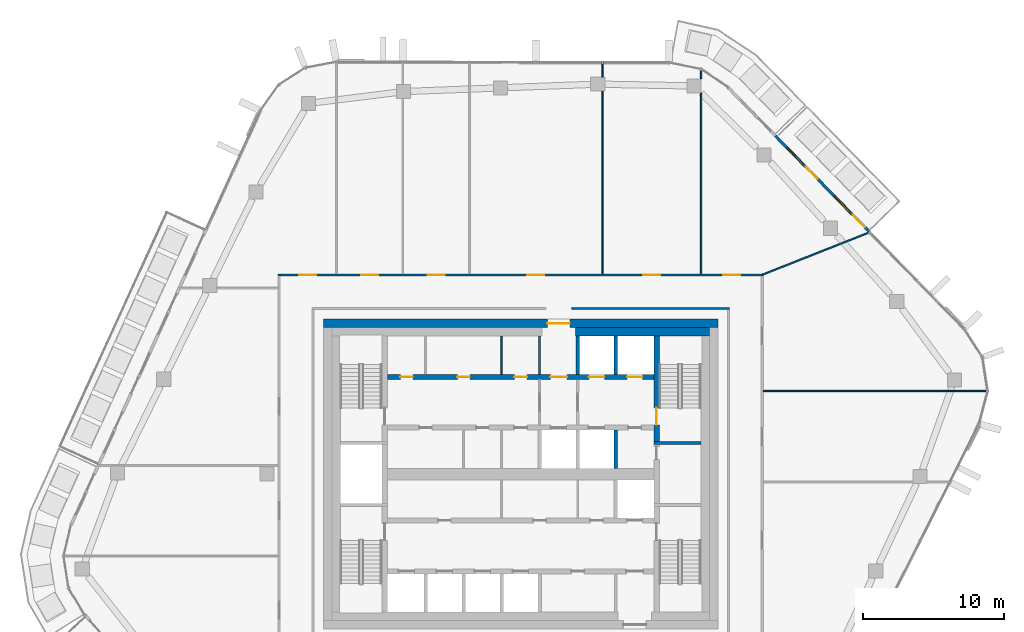
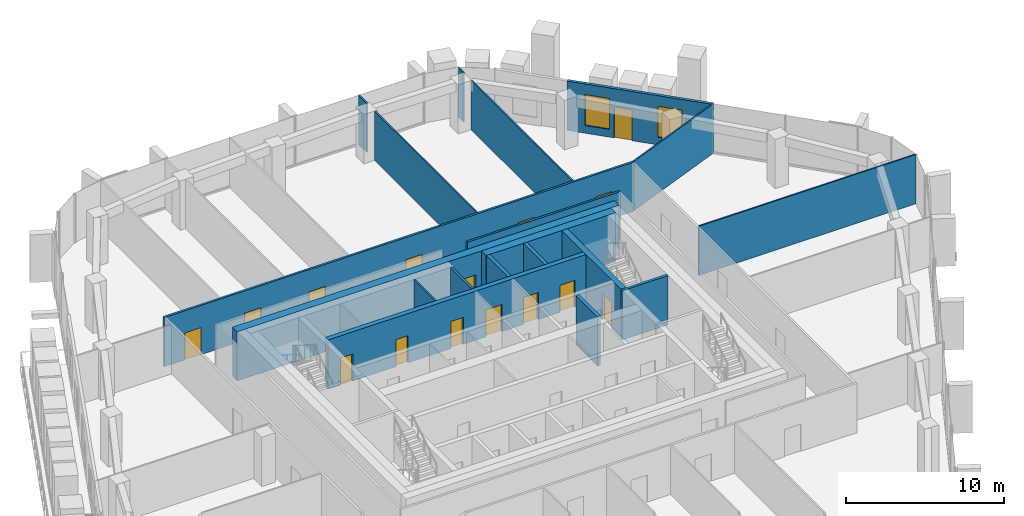
# One storey, part 16 of 23: 19 walls, 16 doors, 2 windows, 18 openings.
"""IFC4 building model written with IfcOpenShell, lengths in metres."""

import ifcopenshell
import ifcopenshell.guid

model = None  # the IFC model being written
_history = None  # IfcOwnerHistory: only IFC2X3 demands one
_inside = {}  # id of a spatial element -> (the spatial element, [elements in it])
_under = {}  # id of a project, library or spatial element -> (it, [spatial elements below it])
_declared = {}  # id of a project -> (the project, [libraries it declares])
_typed = {}  # id of a type object -> (the type object, [elements of that type])
_made_of = {}  # id of a material, layer set ... -> (it, [elements and type objects made of it])


def new_model(schema):
    """Start an empty IFC model of exactly this schema.

    Asked for "IFC4X3", IfcOpenShell would pick the latest addendum, in which some entities
    have other attributes; the version numbers below select the first issue.
    IFC2X3 requires an IfcOwnerHistory on every rooted entity: one is made here for all.
    """
    global model, _history
    if schema == "IFC4X3":
        model = ifcopenshell.file(schema_version=(4, 3, 0, 0))
    else:
        model = ifcopenshell.file(schema=schema)
    _inside.clear()
    _under.clear()
    _declared.clear()
    _typed.clear()
    _made_of.clear()
    _history = None
    if model.schema == "IFC2X3":
        org = make("IfcOrganization", Name="unknown")
        user = make(
            "IfcPersonAndOrganization",
            ThePerson=make("IfcPerson", FamilyName="unknown"),
            TheOrganization=org,
        )
        app = make(
            "IfcApplication",
            ApplicationDeveloper=org,
            Version="unknown",
            ApplicationFullName="unknown",
            ApplicationIdentifier="unknown",
        )
        _history = make(
            "IfcOwnerHistory",
            OwningUser=user,
            OwningApplication=app,
            ChangeAction="ADDED",
            CreationDate=0,
        )
    return model


def make(cls, **values):
    """One entity of the class cls with the attributes given. An attribute that is None is left unset."""
    return model.create_entity(
        cls, **{name: value for name, value in values.items() if value is not None}
    )


def rooted(cls, **values):
    """An entity with a GlobalId (a new one), such as an element, a storey or a relation."""
    return make(cls, GlobalId=ifcopenshell.guid.new(), OwnerHistory=_history, **values)


def si_unit(unit_type, name, prefix=None):
    """IfcSIUnit, for example si_unit("LENGTHUNIT", "METRE", prefix="MILLI")."""
    return make("IfcSIUnit", UnitType=unit_type, Prefix=prefix, Name=name)


def assignment(units):
    """IfcUnitAssignment: the units of a project."""
    return None if units is None else make("IfcUnitAssignment", Units=units)


def point(xyz):
    """IfcCartesianPoint."""
    return None if xyz is None else make("IfcCartesianPoint", Coordinates=xyz)


def direction(xyz):
    """IfcDirection."""
    return None if xyz is None else make("IfcDirection", DirectionRatios=xyz)


def frame(location, z_axis=None, x_axis=None):
    """IfcAxis2Placement3D, a coordinate frame: its origin and axes. An axis left out is left unset."""
    return make(
        "IfcAxis2Placement3D",
        Location=point(location),
        Axis=direction(z_axis),
        RefDirection=direction(x_axis),
    )


def frame_2d(location, x_axis=None):
    """IfcAxis2Placement2D, a coordinate frame in the plane: its origin and x axis."""
    return make(
        "IfcAxis2Placement2D", Location=point(location), RefDirection=direction(x_axis)
    )


def origin():
    """The frame at (0, 0, 0) with its axes left unset."""
    return frame((0.0, 0.0, 0.0))


def place(relative_to, where):
    """IfcLocalPlacement: puts the frame where relative to a parent placement (None: the world)."""
    return make(
        "IfcLocalPlacement", PlacementRelTo=relative_to, RelativePlacement=where
    )


def context(
    kind, dimensions, precision=None, world=None, true_north=None, identifier=None
):
    """IfcGeometricRepresentationContext, for example the 3D "Model" context."""
    return make(
        "IfcGeometricRepresentationContext",
        ContextIdentifier=identifier,
        ContextType=kind,
        CoordinateSpaceDimension=dimensions,
        Precision=precision,
        WorldCoordinateSystem=world,
        TrueNorth=true_north,
    )


def subcontext(parent, identifier, kind, view, scale=None):
    """IfcGeometricRepresentationSubContext, for example "Body" below "Model"."""
    return make(
        "IfcGeometricRepresentationSubContext",
        ContextIdentifier=identifier,
        ContextType=kind,
        ParentContext=parent,
        TargetScale=scale,
        TargetView=view,
    )


def project(units=None, contexts=None):
    """IfcProject with its units and contexts."""
    return rooted(
        "IfcProject",
        Name="project",
        RepresentationContexts=contexts,
        UnitsInContext=assignment(units),
    )


def spatial(cls, under=None, at=None, **own):
    """A site, building, storey or space (cls), placed at a placement, below another one or the project."""
    s = rooted(cls, ObjectPlacement=at, **own)
    if under is not None:
        _under.setdefault(under.id(), (under, []))[1].append(s)
    return s


def profile(cls, at=None, kind="AREA", **sizes):
    """A parametric profile (cls). Its sizes go by their IFC names, for example OverallWidth=200.0."""
    return make(cls, ProfileType=kind, Position=at, **sizes)


def rectangle(**sizes):
    """IfcRectangleProfileDef."""
    return profile("IfcRectangleProfileDef", **sizes)


def extrude(swept, where, along, depth):
    """IfcExtrudedAreaSolid: the profile swept, set in the frame where, extruded along a direction by depth."""
    return make(
        "IfcExtrudedAreaSolid",
        SweptArea=swept,
        Position=where,
        ExtrudedDirection=direction(along),
        Depth=depth,
    )


def shape(context_of_items, identifier, shape_type, items):
    """IfcShapeRepresentation: the items that make up one representation, for example the "Body"."""
    return make(
        "IfcShapeRepresentation",
        ContextOfItems=context_of_items,
        RepresentationIdentifier=identifier,
        RepresentationType=shape_type,
        Items=items,
    )


def material(Name=None, Category=None):
    """IfcMaterial."""
    return make("IfcMaterial", Name=Name, Category=Category)


def layer(
    of_material, thickness, ventilated=None, Name=None, Category=None, Priority=None
):
    """IfcMaterialLayer: one layer of a wall or slab, of a material (None: an air gap)."""
    return make(
        "IfcMaterialLayer",
        Material=of_material,
        LayerThickness=thickness,
        IsVentilated=ventilated,
        Name=Name,
        Category=Category,
        Priority=Priority,
    )


def layer_set(layers, Name=None):
    """IfcMaterialLayerSet."""
    return make("IfcMaterialLayerSet", MaterialLayers=layers, LayerSetName=Name)


def made_of(thing, what):
    """Note that an element or type object is made of a material, layer set ...; save() writes the relation."""
    if what is not None:
        _made_of.setdefault(what.id(), (what, []))[1].append(thing)
    return thing


def type_object(cls, material=None, **own):
    """A type object (cls), such as IfcWallType, which elements share."""
    return made_of(rooted(cls, **own), material)


def element(
    cls,
    number,
    at=None,
    inside=None,
    cuts=None,
    type_object=None,
    material=None,
    context=None,
    identifier="Body",
    shape_type=None,
    held_by="IfcProductDefinitionShape",
    body=None,
    shapes=None,
    **own,
):
    """One element of the class cls, such as IfcWall. Its Tag is "e" and its number.

    at: its placement. inside: the storey or other place that contains it. cuts: it is an
    opening in that element (IfcRelVoidsElement). A single representation is given by context,
    identifier, shape_type and body (its items); several are given by shapes. held_by: the class
    of the entity that holds the representations. save() writes the other relations.
    """
    e = rooted(cls, Tag="e%d" % number, ObjectPlacement=at, **own)
    if body is not None:
        shapes = [shape(context, identifier, shape_type, body)]
    if shapes is not None:
        e.Representation = make(held_by, Representations=shapes)
    if inside is not None:
        _inside.setdefault(inside.id(), (inside, []))[1].append(e)
    if cuts is not None:
        rooted(
            "IfcRelVoidsElement", RelatingBuildingElement=cuts, RelatedOpeningElement=e
        )
    if type_object is not None:
        _typed.setdefault(type_object.id(), (type_object, []))[1].append(e)
    return made_of(e, material)


def fill(opening, filler):
    """IfcRelFillsElement: the door or window that sits in an opening."""
    return rooted(
        "IfcRelFillsElement",
        RelatingOpeningElement=opening,
        RelatedBuildingElement=filler,
    )


def aggregate(whole, parts):
    """IfcRelAggregates: a whole, such as a stair, and the parts it consists of."""
    return rooted("IfcRelAggregates", RelatingObject=whole, RelatedObjects=parts)


def save(model, path):
    """Write the relations noted so far, then the file.

    IfcRelAggregates (storeys below a building ...), IfcRelContainedInSpatialStructure (elements
    in a storey), IfcRelDefinesByType, IfcRelAssociatesMaterial and IfcRelDeclares: one each for
    every whole, place, type object, material and project.
    """
    for whole, parts in _under.values():
        aggregate(whole, parts)
    for where, things in _inside.values():
        rooted(
            "IfcRelContainedInSpatialStructure",
            RelatedElements=things,
            RelatingStructure=where,
        )
    for kind, things in _typed.values():
        rooted("IfcRelDefinesByType", RelatedObjects=things, RelatingType=kind)
    for what, things in _made_of.values():
        rooted("IfcRelAssociatesMaterial", RelatedObjects=things, RelatingMaterial=what)
    for by, libraries in _declared.values():
        rooted("IfcRelDeclares", RelatingContext=by, RelatedDefinitions=libraries)
    model.write(path)


model = new_model("IFC4")

# Units and contexts
model_context = context("Model", 3, precision=1e-05, world=origin(), true_north=direction((0.0, 1.0)))
body_context = subcontext(model_context, "Body", "Model", "MODEL_VIEW")
ifc_project = project(units=[si_unit("LENGTHUNIT", "METRE"), si_unit("AREAUNIT", "SQUARE_METRE"), si_unit("VOLUMEUNIT", "CUBIC_METRE"), si_unit("PLANEANGLEUNIT", "RADIAN"), si_unit("MASSUNIT", "GRAM", prefix="KILO")], contexts=[model_context])

# Site, building, storey
site_placement = place(None, origin())
site = spatial("IfcSite", under=ifc_project, at=site_placement, CompositionType="ELEMENT")
building_placement = place(site_placement, origin())
building = spatial("IfcBuilding", under=site, at=building_placement, Name="Dongbaek Canopy Tower", CompositionType="ELEMENT")
storey_placement = place(building_placement, frame((0.0, 0.0, 315.199951171875)))
storey = spatial("IfcBuildingStorey", under=building, at=storey_placement, Name="L67", CompositionType="ELEMENT", Elevation=315.199951171875)

# Wall, openings, doors
ifc_material_1 = material(Name="Concrete C60/75", Category="concrete")
ifc_layer_1 = layer(ifc_material_1, 0.35009765625)
ifc_layer_set_1 = layer_set([ifc_layer_1], Name="Core lobby wall 350 Concrete C60/75")
wall_type_1 = type_object("IfcWallType", Name="Core lobby wall 350 Concrete C60/75", PredefinedType="SHEAR", material=ifc_layer_set_1)
wall_1_placement = place(storey_placement, frame((-9.449951171875, 6.89990234375, 0.0), z_axis=(0.0, 0.0, 1.0), x_axis=(1.0, 0.0, 0.0)))
wall_1 = element("IfcWall", 1, at=wall_1_placement, inside=storey, type_object=wall_type_1, Name="Core wall", PredefinedType="SHEAR", context=body_context, shape_type="SweptSolid", body=[
    extrude(rectangle(XDim=18.89990234375, YDim=0.35009765625, at=frame_2d((9.449951171875, 0.0))), origin(), (0.0, 0.0, 1.0), 3.820068359375),
])
opening_1_placement = place(wall_1_placement, frame((11.550048828125, 0.0, 0.0)))
opening_1 = element("IfcOpeningElement", 2, at=opening_1_placement, cuts=wall_1, Name="Opening L67-D021", PredefinedType="OPENING", context=body_context, shape_type="SweptSolid", body=[
    extrude(rectangle(XDim=1.199951171875, YDim=2.10009765625, at=frame_2d((0.60009765625, 1.050048828125))), frame((0.0, 0.18505859375, 0.0), z_axis=(0.0, -1.0, 0.0), x_axis=(1.0, 0.0, 0.0)), (0.0, 0.0, 1.0), 0.3701171875),
])
opening_2_placement = place(wall_1_placement, frame((14.300048828125, 0.0, 0.0)))
opening_2 = element("IfcOpeningElement", 3, at=opening_2_placement, cuts=wall_1, Name="Opening L67-D022", PredefinedType="OPENING", context=body_context, shape_type="SweptSolid", body=[
    extrude(rectangle(XDim=1.10009765625, YDim=2.10009765625, at=frame_2d((0.550048828125, 1.050048828125))), frame((0.0, 0.18505859375, 0.0), z_axis=(0.0, -1.0, 0.0), x_axis=(1.0, 0.0, 0.0)), (0.0, 0.0, 1.0), 0.3701171875),
])
opening_3_placement = place(wall_1_placement, frame((17.0, 0.0, 0.0)))
opening_3 = element("IfcOpeningElement", 4, at=opening_3_placement, cuts=wall_1, Name="Opening L67-D023", PredefinedType="OPENING", context=body_context, shape_type="SweptSolid", body=[
    extrude(rectangle(XDim=1.10009765625, YDim=2.10009765625, at=frame_2d((0.550048828125, 1.050048828125))), frame((0.0, 0.18505859375, 0.0), z_axis=(0.0, -1.0, 0.0), x_axis=(1.0, 0.0, 0.0)), (0.0, 0.0, 1.0), 0.3701171875),
])
opening_4_placement = place(wall_1_placement, frame((0.89990234375, 0.0, 0.0)))
opening_4 = element("IfcOpeningElement", 5, at=opening_4_placement, cuts=wall_1, Name="Opening L67-D034", PredefinedType="OPENING", context=body_context, shape_type="SweptSolid", body=[
    extrude(rectangle(XDim=0.89990234375, YDim=2.10009765625, at=frame_2d((0.449951171875, 1.050048828125))), frame((0.0, 0.18505859375, 0.0), z_axis=(0.0, -1.0, 0.0), x_axis=(1.0, 0.0, 0.0)), (0.0, 0.0, 1.0), 0.3701171875),
])
opening_5_placement = place(wall_1_placement, frame((4.949951171875, 0.0, 0.0)))
opening_5 = element("IfcOpeningElement", 6, at=opening_5_placement, cuts=wall_1, Name="Opening L67-D035", PredefinedType="OPENING", context=body_context, shape_type="SweptSolid", body=[
    extrude(rectangle(XDim=0.89990234375, YDim=2.10009765625, at=frame_2d((0.449951171875, 1.050048828125))), frame((0.0, 0.18505859375, 0.0), z_axis=(0.0, -1.0, 0.0), x_axis=(1.0, 0.0, 0.0)), (0.0, 0.0, 1.0), 0.3701171875),
])
opening_6_placement = place(wall_1_placement, frame((9.0, 0.0, 0.0)))
opening_6 = element("IfcOpeningElement", 7, at=opening_6_placement, cuts=wall_1, Name="Opening L67-D036", PredefinedType="OPENING", context=body_context, shape_type="SweptSolid", body=[
    extrude(rectangle(XDim=0.89990234375, YDim=2.10009765625, at=frame_2d((0.449951171875, 1.050048828125))), frame((0.0, 0.18505859375, 0.0), z_axis=(0.0, -1.0, 0.0), x_axis=(1.0, 0.0, 0.0)), (0.0, 0.0, 1.0), 0.3701171875),
])
ifc_material_2 = material(Name="Steel", Category="steel")
door_type_1 = type_object("IfcDoorType", Name="Core room door 900 x 2100", OperationType="SINGLE_SWING_LEFT", PredefinedType="DOOR", material=ifc_material_2)
door_1_placement = place(opening_4_placement, origin())
door_1 = element("IfcDoor", 8, at=door_1_placement, inside=storey, type_object=door_type_1, Name="Door L67-D034", OperationType="SINGLE_SWING_RIGHT", OverallHeight=2.10009765625, OverallWidth=0.89990234375, PredefinedType="DOOR", context=body_context, shape_type="SweptSolid", body=[
    extrude(rectangle(XDim=0.89990234375, YDim=2.10009765625, at=frame_2d((0.449951171875, 1.050048828125))), frame((0.0, 0.02490234375, 0.0), z_axis=(0.0, -1.0, 0.0), x_axis=(1.0, 0.0, 0.0)), (0.0, 0.0, 1.0), 0.050048828125),
])
fill(opening_4, door_1)
door_2_placement = place(opening_5_placement, origin())
door_2 = element("IfcDoor", 9, at=door_2_placement, inside=storey, type_object=door_type_1, Name="Door L67-D035", OperationType="SINGLE_SWING_LEFT", OverallHeight=2.10009765625, OverallWidth=0.89990234375, PredefinedType="DOOR", context=body_context, shape_type="SweptSolid", body=[
    extrude(rectangle(XDim=0.89990234375, YDim=2.10009765625, at=frame_2d((0.449951171875, 1.050048828125))), frame((0.0, 0.02490234375, 0.0), z_axis=(0.0, -1.0, 0.0), x_axis=(1.0, 0.0, 0.0)), (0.0, 0.0, 1.0), 0.050048828125),
])
fill(opening_5, door_2)
door_3_placement = place(opening_6_placement, origin())
door_3 = element("IfcDoor", 10, at=door_3_placement, inside=storey, type_object=door_type_1, Name="Door L67-D036", OperationType="SINGLE_SWING_RIGHT", OverallHeight=2.10009765625, OverallWidth=0.89990234375, PredefinedType="DOOR", context=body_context, shape_type="SweptSolid", body=[
    extrude(rectangle(XDim=0.89990234375, YDim=2.10009765625, at=frame_2d((0.449951171875, 1.050048828125))), frame((0.0, 0.02490234375, 0.0), z_axis=(0.0, -1.0, 0.0), x_axis=(1.0, 0.0, 0.0)), (0.0, 0.0, 1.0), 0.050048828125),
])
fill(opening_6, door_3)
ifc_material_3 = material(Name="Steel", Category="steel")
door_type_2 = type_object("IfcDoorType", Name="Fire lobby door 1200 x 2100", OperationType="SINGLE_SWING_LEFT", PredefinedType="DOOR", material=ifc_material_3)
door_4_placement = place(opening_1_placement, origin())
door_4 = element("IfcDoor", 11, at=door_4_placement, inside=storey, type_object=door_type_2, Name="Door L67-D021", OperationType="SINGLE_SWING_LEFT", OverallHeight=2.10009765625, OverallWidth=1.199951171875, PredefinedType="DOOR", context=body_context, shape_type="SweptSolid", body=[
    extrude(rectangle(XDim=1.199951171875, YDim=2.10009765625, at=frame_2d((0.60009765625, 1.050048828125))), frame((0.0, 0.02490234375, 0.0), z_axis=(0.0, -1.0, 0.0), x_axis=(1.0, 0.0, 0.0)), (0.0, 0.0, 1.0), 0.050048828125),
])
fill(opening_1, door_4)
ifc_material_4 = material(Name="Stainless steel", Category="steel")
door_type_3 = type_object("IfcDoorType", Name="Lift landing door 1100 x 2100", OperationType="DOUBLE_DOOR_SLIDING", PredefinedType="DOOR", material=ifc_material_4)
door_5_placement = place(opening_2_placement, origin())
door_5 = element("IfcDoor", 12, at=door_5_placement, inside=storey, type_object=door_type_3, Name="Landing door FF1", OperationType="DOUBLE_DOOR_SLIDING", OverallHeight=2.10009765625, OverallWidth=1.10009765625, PredefinedType="DOOR", context=body_context, shape_type="SweptSolid", body=[
    extrude(rectangle(XDim=1.10009765625, YDim=2.10009765625, at=frame_2d((0.550048828125, 1.050048828125))), frame((0.0, 0.02490234375, 0.0), z_axis=(0.0, -1.0, 0.0), x_axis=(1.0, 0.0, 0.0)), (0.0, 0.0, 1.0), 0.050048828125),
])
fill(opening_2, door_5)
door_6_placement = place(opening_3_placement, origin())
door_6 = element("IfcDoor", 13, at=door_6_placement, inside=storey, type_object=door_type_3, Name="Landing door FF2", OperationType="DOUBLE_DOOR_SLIDING", OverallHeight=2.10009765625, OverallWidth=1.10009765625, PredefinedType="DOOR", context=body_context, shape_type="SweptSolid", body=[
    extrude(rectangle(XDim=1.10009765625, YDim=2.10009765625, at=frame_2d((0.550048828125, 1.050048828125))), frame((0.0, 0.02490234375, 0.0), z_axis=(0.0, -1.0, 0.0), x_axis=(1.0, 0.0, 0.0)), (0.0, 0.0, 1.0), 0.050048828125),
])
fill(opening_3, door_6)

# Wall, opening, door
ifc_material_5 = material(Name="Concrete C80/95", Category="concrete")
ifc_layer_2 = layer(ifc_material_5, 0.60009765625)
ifc_layer_set_2 = layer_set([ifc_layer_2], Name="Core outer wall 600 Concrete C80/95")
wall_type_2 = type_object("IfcWallType", Name="Core outer wall 600 Concrete C80/95", PredefinedType="SHEAR", material=ifc_layer_set_2)
wall_2_placement = place(storey_placement, frame((-14.0, 10.699951171875, 0.0), z_axis=(0.0, 0.0, 1.0), x_axis=(1.0, 0.0, 0.0)))
wall_2 = element("IfcWall", 14, at=wall_2_placement, inside=storey, type_object=wall_type_2, Name="Core wall", PredefinedType="SHEAR", context=body_context, shape_type="SweptSolid", body=[
    extrude(rectangle(XDim=28.0, YDim=0.60009765625, at=frame_2d((14.0, 0.0))), origin(), (0.0, 0.0, 1.0), 3.820068359375),
])
opening_7_placement = place(wall_2_placement, frame((15.89990234375, 0.0, 0.0)))
opening_7 = element("IfcOpeningElement", 15, at=opening_7_placement, cuts=wall_2, Name="Opening L67-D020", PredefinedType="OPENING", context=body_context, shape_type="SweptSolid", body=[
    extrude(rectangle(XDim=1.60009765625, YDim=2.10009765625, at=frame_2d((0.800048828125, 1.050048828125))), frame((0.0, 0.31005859375, 0.0), z_axis=(0.0, -1.0, 0.0), x_axis=(1.0, 0.0, 0.0)), (0.0, 0.0, 1.0), 0.6201171875),
])
ifc_material_6 = material(Name="Steel", Category="steel")
door_type_4 = type_object("IfcDoorType", Name="Core exit door 1600 x 2100", OperationType="DOUBLE_DOOR_SINGLE_SWING", PredefinedType="DOOR", material=ifc_material_6)
door_7_placement = place(opening_7_placement, origin())
door_7 = element("IfcDoor", 16, at=door_7_placement, inside=storey, type_object=door_type_4, Name="Core exit door", OperationType="DOUBLE_DOOR_SINGLE_SWING", OverallHeight=2.10009765625, OverallWidth=1.60009765625, PredefinedType="DOOR", context=body_context, shape_type="SweptSolid", body=[
    extrude(rectangle(XDim=1.60009765625, YDim=2.10009765625, at=frame_2d((0.800048828125, 1.050048828125))), frame((0.0, 0.02490234375, 0.0), z_axis=(0.0, -1.0, 0.0), x_axis=(1.0, 0.0, 0.0)), (0.0, 0.0, 1.0), 0.050048828125),
])
fill(opening_7, door_7)

# Walls
ifc_material_7 = material(Name="Concrete C60/75", Category="concrete")
ifc_layer_3 = layer(ifc_material_7, 0.60009765625)
ifc_layer_set_3 = layer_set([ifc_layer_3], Name="Core wall lining 600 Concrete C60/75")
wall_type_3 = type_object("IfcWallType", Name="Core wall lining 600 Concrete C60/75", PredefinedType="SHEAR", material=ifc_layer_set_3)
wall_3_placement = place(storey_placement, frame((3.89990234375, 10.10009765625, 0.0), z_axis=(0.0, 0.0, 1.0), x_axis=(1.0, 0.0, 0.0)))
element("IfcWall", 17, at=wall_3_placement, inside=storey, type_object=wall_type_3, Name="Core wall lining", PredefinedType="SHEAR", context=body_context, shape_type="SweptSolid", body=[
    extrude(rectangle(XDim=9.5, YDim=0.60009765625, at=frame_2d((4.75, 0.0))), origin(), (0.0, 0.0, 1.0), 3.820068359375),
])
ifc_material_8 = material(Name="Gypsum board partition, steel stud, 2 x 15 mm fire board", Category="steel")
ifc_layer_4 = layer(ifc_material_8, 0.14990234375)
ifc_layer_set_4 = layer_set([ifc_layer_4], Name="Fire-rated partition 150 gypsum board")
wall_type_4 = type_object("IfcWallType", Name="Fire-rated partition 150 gypsum board", PredefinedType="PARTITIONING", material=ifc_layer_set_4)
wall_4_placement = place(storey_placement, frame((3.60009765625, 11.75, 0.0), z_axis=(0.0, 0.0, 1.0), x_axis=(1.0, 0.0, 0.0)))
element("IfcWall", 18, at=wall_4_placement, inside=storey, type_object=wall_type_4, Name="Corridor partition", PredefinedType="PARTITIONING", context=body_context, shape_type="SweptSolid", body=[
    extrude(rectangle(XDim=11.224853515625, YDim=0.14990234375, at=frame_2d((5.6123046875, 0.0))), origin(), (0.0, 0.0, 1.0), 3.820068359375),
])

# Wall, openings, doors
wall_5_placement = place(storey_placement, frame((-17.22509765625, 14.14990234375, 0.0), z_axis=(0.0, 0.0, 1.0), x_axis=(1.0, 0.0, 0.0)))
wall_5 = element("IfcWall", 19, at=wall_5_placement, inside=storey, type_object=wall_type_4, Name="Corridor partition", PredefinedType="PARTITIONING", context=body_context, shape_type="SweptSolid", body=[
    extrude(rectangle(XDim=34.4501953125, YDim=0.14990234375, at=frame_2d((17.22509765625, 0.0))), origin(), (0.0, 0.0, 1.0), 3.820068359375),
])
opening_8_placement = place(wall_5_placement, frame((31.60693359375, 0.0, 0.0)))
opening_8 = element("IfcOpeningElement", 20, at=opening_8_placement, cuts=wall_5, Name="Opening L67-D012", PredefinedType="OPENING", context=body_context, shape_type="SweptSolid", body=[
    extrude(rectangle(XDim=1.199951171875, YDim=2.10009765625, at=frame_2d((0.60009765625, 1.050048828125))), frame((0.0, 0.0849609375, 0.0), z_axis=(0.0, -1.0, 0.0), x_axis=(1.0, 0.0, 0.0)), (0.0, 0.0, 1.0), 0.169921875),
])
opening_9_placement = place(wall_5_placement, frame((25.935791015625, 0.0, 0.0)))
opening_9 = element("IfcOpeningElement", 21, at=opening_9_placement, cuts=wall_5, Name="Opening L67-D013", PredefinedType="OPENING", context=body_context, shape_type="SweptSolid", body=[
    extrude(rectangle(XDim=1.199951171875, YDim=2.10009765625, at=frame_2d((0.60009765625, 1.050048828125))), frame((0.0, 0.0849609375, 0.0), z_axis=(0.0, -1.0, 0.0), x_axis=(1.0, 0.0, 0.0)), (0.0, 0.0, 1.0), 0.169921875),
])
opening_10_placement = place(wall_5_placement, frame((17.70654296875, 0.0, 0.0)))
opening_10 = element("IfcOpeningElement", 22, at=opening_10_placement, cuts=wall_5, Name="Opening L67-D014", PredefinedType="OPENING", context=body_context, shape_type="SweptSolid", body=[
    extrude(rectangle(XDim=1.199951171875, YDim=2.10009765625, at=frame_2d((0.60009765625, 1.050048828125))), frame((0.0, 0.0849609375, 0.0), z_axis=(0.0, -1.0, 0.0), x_axis=(1.0, 0.0, 0.0)), (0.0, 0.0, 1.0), 0.169921875),
])
opening_11_placement = place(wall_5_placement, frame((10.6171875, 0.0, 0.0)))
opening_11 = element("IfcOpeningElement", 23, at=opening_11_placement, cuts=wall_5, Name="Opening L67-D015", PredefinedType="OPENING", context=body_context, shape_type="SweptSolid", body=[
    extrude(rectangle(XDim=1.199951171875, YDim=2.10009765625, at=frame_2d((0.60009765625, 1.050048828125))), frame((0.0, 0.0849609375, 0.0), z_axis=(0.0, -1.0, 0.0), x_axis=(1.0, 0.0, 0.0)), (0.0, 0.0, 1.0), 0.169921875),
])
opening_12_placement = place(wall_5_placement, frame((5.89599609375, 0.0, 0.0)))
opening_12 = element("IfcOpeningElement", 24, at=opening_12_placement, cuts=wall_5, Name="Opening L67-D016", PredefinedType="OPENING", context=body_context, shape_type="SweptSolid", body=[
    extrude(rectangle(XDim=1.199951171875, YDim=2.10009765625, at=frame_2d((0.60009765625, 1.050048828125))), frame((0.0, 0.0849609375, 0.0), z_axis=(0.0, -1.0, 0.0), x_axis=(1.0, 0.0, 0.0)), (0.0, 0.0, 1.0), 0.169921875),
])
opening_13_placement = place(wall_5_placement, frame((1.50634765625, 0.0, 0.0)))
opening_13 = element("IfcOpeningElement", 25, at=opening_13_placement, cuts=wall_5, Name="Opening L67-D017", PredefinedType="OPENING", context=body_context, shape_type="SweptSolid", body=[
    extrude(rectangle(XDim=1.199951171875, YDim=2.10009765625, at=frame_2d((0.60009765625, 1.050048828125))), frame((0.0, 0.0849609375, 0.0), z_axis=(0.0, -1.0, 0.0), x_axis=(1.0, 0.0, 0.0)), (0.0, 0.0, 1.0), 0.169921875),
])
ifc_material_9 = material(Name="Timber veneered door leaf", Category="wood")
door_type_5 = type_object("IfcDoorType", Name="Room door 1200 x 2100", OperationType="SINGLE_SWING_LEFT", PredefinedType="DOOR", material=ifc_material_9)
door_8_placement = place(opening_8_placement, origin())
door_8 = element("IfcDoor", 26, at=door_8_placement, inside=storey, type_object=door_type_5, Name="Door L67-D012", OperationType="SINGLE_SWING_LEFT", OverallHeight=2.10009765625, OverallWidth=1.199951171875, PredefinedType="DOOR", context=body_context, shape_type="SweptSolid", body=[
    extrude(rectangle(XDim=1.199951171875, YDim=2.10009765625, at=frame_2d((0.60009765625, 1.050048828125))), frame((0.0, 0.02490234375, 0.0), z_axis=(0.0, -1.0, 0.0), x_axis=(1.0, 0.0, 0.0)), (0.0, 0.0, 1.0), 0.050048828125),
])
fill(opening_8, door_8)
door_9_placement = place(opening_9_placement, origin())
door_9 = element("IfcDoor", 27, at=door_9_placement, inside=storey, type_object=door_type_5, Name="Door L67-D013", OperationType="SINGLE_SWING_RIGHT", OverallHeight=2.10009765625, OverallWidth=1.199951171875, PredefinedType="DOOR", context=body_context, shape_type="SweptSolid", body=[
    extrude(rectangle(XDim=1.199951171875, YDim=2.10009765625, at=frame_2d((0.60009765625, 1.050048828125))), frame((0.0, 0.02490234375, 0.0), z_axis=(0.0, -1.0, 0.0), x_axis=(1.0, 0.0, 0.0)), (0.0, 0.0, 1.0), 0.050048828125),
])
fill(opening_9, door_9)
door_10_placement = place(opening_10_placement, origin())
door_10 = element("IfcDoor", 28, at=door_10_placement, inside=storey, type_object=door_type_5, Name="Door L67-D014", OperationType="SINGLE_SWING_LEFT", OverallHeight=2.10009765625, OverallWidth=1.199951171875, PredefinedType="DOOR", context=body_context, shape_type="SweptSolid", body=[
    extrude(rectangle(XDim=1.199951171875, YDim=2.10009765625, at=frame_2d((0.60009765625, 1.050048828125))), frame((0.0, 0.02490234375, 0.0), z_axis=(0.0, -1.0, 0.0), x_axis=(1.0, 0.0, 0.0)), (0.0, 0.0, 1.0), 0.050048828125),
])
fill(opening_10, door_10)
door_11_placement = place(opening_11_placement, origin())
door_11 = element("IfcDoor", 29, at=door_11_placement, inside=storey, type_object=door_type_5, Name="Door L67-D015", OperationType="SINGLE_SWING_RIGHT", OverallHeight=2.10009765625, OverallWidth=1.199951171875, PredefinedType="DOOR", context=body_context, shape_type="SweptSolid", body=[
    extrude(rectangle(XDim=1.199951171875, YDim=2.10009765625, at=frame_2d((0.60009765625, 1.050048828125))), frame((0.0, 0.02490234375, 0.0), z_axis=(0.0, -1.0, 0.0), x_axis=(1.0, 0.0, 0.0)), (0.0, 0.0, 1.0), 0.050048828125),
])
fill(opening_11, door_11)
door_12_placement = place(opening_12_placement, origin())
door_12 = element("IfcDoor", 30, at=door_12_placement, inside=storey, type_object=door_type_5, Name="Door L67-D016", OperationType="SINGLE_SWING_LEFT", OverallHeight=2.10009765625, OverallWidth=1.199951171875, PredefinedType="DOOR", context=body_context, shape_type="SweptSolid", body=[
    extrude(rectangle(XDim=1.199951171875, YDim=2.10009765625, at=frame_2d((0.60009765625, 1.050048828125))), frame((0.0, 0.02490234375, 0.0), z_axis=(0.0, -1.0, 0.0), x_axis=(1.0, 0.0, 0.0)), (0.0, 0.0, 1.0), 0.050048828125),
])
fill(opening_12, door_12)
door_13_placement = place(opening_13_placement, origin())
door_13 = element("IfcDoor", 31, at=door_13_placement, inside=storey, type_object=door_type_5, Name="Door L67-D017", OperationType="SINGLE_SWING_RIGHT", OverallHeight=2.10009765625, OverallWidth=1.199951171875, PredefinedType="DOOR", context=body_context, shape_type="SweptSolid", body=[
    extrude(rectangle(XDim=1.199951171875, YDim=2.10009765625, at=frame_2d((0.60009765625, 1.050048828125))), frame((0.0, 0.02490234375, 0.0), z_axis=(0.0, -1.0, 0.0), x_axis=(1.0, 0.0, 0.0)), (0.0, 0.0, 1.0), 0.050048828125),
])
fill(opening_13, door_13)

# Walls
wall_6_placement = place(storey_placement, frame((1.35009765625, 7.074951171875, 0.0), z_axis=(0.0, 0.0, 1.0), x_axis=(0.0, 1.0, 0.0)))
element("IfcWall", 32, at=wall_6_placement, inside=storey, type_object=wall_type_4, Name="Fire lobby partition", PredefinedType="PARTITIONING", context=body_context, shape_type="SweptSolid", body=[
    extrude(rectangle(XDim=2.72509765625, YDim=0.14990234375, at=frame_2d((1.362548828125, 0.0))), origin(), (0.0, 0.0, 1.0), 3.820068359375),
])
ifc_material_10 = material(Name="Concrete C40/50", Category="concrete")
ifc_layer_5 = layer(ifc_material_10, 0.25)
ifc_layer_set_5 = layer_set([ifc_layer_5], Name="Lift shaft wall 250 Concrete C40/50")
wall_type_5 = type_object("IfcWallType", Name="Lift shaft wall 250 Concrete C40/50", PredefinedType="SOLIDWALL", material=ifc_layer_set_5)
for number, where, z_axis, x_axis, name in (
    (33, (6.75, 0.39990234375, 0.0), (0.0, 0.0, 1.0), (0.0, 1.0, 0.0), "Lift shaft wall"),
    (34, (6.75, 7.074951171875, 0.0), (0.0, 0.0, 1.0), (0.0, 1.0, 0.0), "Lift shaft wall"),
    (35, (4.050048828125, 7.074951171875, 0.0), (0.0, 0.0, 1.0), (0.0, 1.0, 0.0), "Lift shaft wall"),
):
    element("IfcWall", number, at=place(storey_placement, frame(where, z_axis=z_axis, x_axis=x_axis)), inside=storey, type_object=wall_type_5, Name=name, PredefinedType="SOLIDWALL", context=body_context, shape_type="SweptSolid", body=[
        extrude(rectangle(XDim=2.72509765625, YDim=0.25, at=frame_2d((1.362548828125, 0.0))), origin(), (0.0, 0.0, 1.0), 3.820068359375),
    ])
ifc_material_11 = material(Name="Gypsum board partition, steel stud, 2 x 12.5 mm board", Category="steel")
ifc_layer_6 = layer(ifc_material_11, 0.10009765625)
ifc_layer_set_6 = layer_set([ifc_layer_6], Name="Partition 100 gypsum board")
wall_type_6 = type_object("IfcWallType", Name="Partition 100 gypsum board", PredefinedType="PARTITIONING", material=ifc_layer_set_6)
wall_7_placement = place(storey_placement, frame((17.22509765625, 5.90087890625, 0.0), z_axis=(0.0, 0.0, 1.0), x_axis=(1.0, 0.0, 0.0)))
element("IfcWall", 36, at=wall_7_placement, inside=storey, type_object=wall_type_6, Name="Partition", PredefinedType="PARTITIONING", context=body_context, shape_type="SweptSolid", body=[
    extrude(rectangle(XDim=15.905029296875, YDim=0.10009765625, at=frame_2d((7.95263671875, 0.0))), origin(), (0.0, 0.0, 1.0), 3.820068359375),
])
wall_8_placement = place(storey_placement, frame((17.14990234375, 14.150146484375, 0.0), z_axis=(0.0, 0.0, 1.0), x_axis=(0.92958283513, 0.368613283308, 0.0)))
element("IfcWall", 37, at=wall_8_placement, inside=storey, type_object=wall_type_6, Name="Partition", PredefinedType="PARTITIONING", context=body_context, shape_type="SweptSolid", body=[
    extrude(rectangle(XDim=8.18896484375, YDim=0.10009765625, at=frame_2d((4.094482421875, 0.0))), origin(), (0.0, 0.0, 1.0), 3.820068359375),
])
wall_9_placement = place(storey_placement, frame((12.81396484375, 14.22509765625, 0.0), z_axis=(0.0, 0.0, 1.0), x_axis=(0.0, 1.0, 0.0)))
element("IfcWall", 38, at=wall_9_placement, inside=storey, type_object=wall_type_6, Name="Partition", PredefinedType="PARTITIONING", context=body_context, shape_type="SweptSolid", body=[
    extrude(rectangle(XDim=12.837890625, YDim=0.10009765625, at=frame_2d((6.4189453125, 0.0))), origin(), (0.0, 0.0, 1.0), 3.820068359375),
])
wall_10_placement = place(storey_placement, frame((12.81396484375, 28.06298828125, 0.0), z_axis=(0.0, 0.0, 1.0), x_axis=(0.0, 1.0, 0.0)))
element("IfcWall", 39, at=wall_10_placement, inside=storey, type_object=wall_type_6, Name="Partition", PredefinedType="PARTITIONING", context=body_context, shape_type="SweptSolid", body=[
    extrude(rectangle(XDim=0.66357421875, YDim=0.10009765625, at=frame_2d((0.331787109375, 0.0))), origin(), (0.0, 0.0, 1.0), 3.820068359375),
])
wall_11_placement = place(storey_placement, frame((5.80810546875, 14.22509765625, 0.0), z_axis=(0.0, 0.0, 1.0), x_axis=(0.0, 1.0, 0.0)))
element("IfcWall", 40, at=wall_11_placement, inside=storey, type_object=wall_type_6, Name="Partition", PredefinedType="PARTITIONING", context=body_context, shape_type="SweptSolid", body=[
    extrude(rectangle(XDim=12.966796875, YDim=0.10009765625, at=frame_2d((6.4833984375, 0.0))), origin(), (0.0, 0.0, 1.0), 3.820068359375),
])
wall_12_placement = place(storey_placement, frame((5.80810546875, 28.19189453125, 0.0), z_axis=(0.0, 0.0, 1.0), x_axis=(0.0, 1.0, 0.0)))
element("IfcWall", 41, at=wall_12_placement, inside=storey, type_object=wall_type_6, Name="Partition", PredefinedType="PARTITIONING", context=body_context, shape_type="SweptSolid", body=[
    extrude(rectangle(XDim=1.014892578125, YDim=0.10009765625, at=frame_2d((0.50732421875, 0.0))), origin(), (0.0, 0.0, 1.0), 3.820068359375),
])
wall_13_placement = place(storey_placement, frame((-1.35009765625, 7.074951171875, 0.0), z_axis=(0.0, 0.0, 1.0), x_axis=(0.0, 1.0, 0.0)))
element("IfcWall", 42, at=wall_13_placement, inside=storey, type_object=wall_type_6, Name="Core partition", PredefinedType="PARTITIONING", context=body_context, shape_type="SweptSolid", body=[
    extrude(rectangle(XDim=2.72509765625, YDim=0.10009765625, at=frame_2d((1.362548828125, 0.0))), origin(), (0.0, 0.0, 1.0), 3.820068359375),
])
ifc_material_12 = material(Name="Concrete C60/75", Category="concrete")
ifc_layer_7 = layer(ifc_material_12, 0.199951171875)
ifc_layer_set_7 = layer_set([ifc_layer_7], Name="Riser wall 200 Concrete C60/75")
wall_type_7 = type_object("IfcWallType", Name="Riser wall 200 Concrete C60/75", PredefinedType="SHEAR", material=ifc_layer_set_7)
wall_14_placement = place(storey_placement, frame((9.449951171875, 2.199951171875, 0.0), z_axis=(0.0, 0.0, 1.0), x_axis=(1.0, 0.0, 0.0)))
element("IfcWall", 43, at=wall_14_placement, inside=storey, type_object=wall_type_7, Name="Riser wall", PredefinedType="SHEAR", context=body_context, shape_type="SweptSolid", body=[
    extrude(rectangle(XDim=3.35009765625, YDim=0.199951171875, at=frame_2d((1.675048828125, 0.0))), origin(), (0.0, 0.0, 1.0), 3.820068359375),
])

# Wall, opening, door
ifc_material_13 = material(Name="Concrete C60/75", Category="concrete")
ifc_layer_8 = layer(ifc_material_13, 0.39990234375)
ifc_layer_set_8 = layer_set([ifc_layer_8], Name="Stair wall 400 Concrete C60/75")
wall_type_8 = type_object("IfcWallType", Name="Stair wall 400 Concrete C60/75", PredefinedType="SHEAR", material=ifc_layer_set_8)
wall_15_placement = place(storey_placement, frame((9.64990234375, 9.800048828125, 0.0), z_axis=(0.0, 0.0, 1.0), x_axis=(0.0, -1.0, 0.0)))
wall_15 = element("IfcWall", 44, at=wall_15_placement, inside=storey, type_object=wall_type_8, Name="Stair wall", PredefinedType="SHEAR", context=body_context, shape_type="SweptSolid", body=[
    extrude(rectangle(XDim=7.5, YDim=0.39990234375, at=frame_2d((3.75, 0.0))), origin(), (0.0, 0.0, 1.0), 3.820068359375),
])
opening_14_placement = place(wall_15_placement, frame((5.10009765625, 0.0, 0.0)))
opening_14 = element("IfcOpeningElement", 45, at=opening_14_placement, cuts=wall_15, Name="Opening L67-D044", PredefinedType="OPENING", context=body_context, shape_type="SweptSolid", body=[
    extrude(rectangle(XDim=1.199951171875, YDim=2.10009765625, at=frame_2d((0.60009765625, 1.050048828125))), frame((0.0, 0.2099609375, 0.0), z_axis=(0.0, -1.0, 0.0), x_axis=(1.0, 0.0, 0.0)), (0.0, 0.0, 1.0), 0.419921875),
])
ifc_material_14 = material(Name="Steel", Category="steel")
door_type_6 = type_object("IfcDoorType", Name="Stair door 1200 x 2100", OperationType="SINGLE_SWING_LEFT", PredefinedType="DOOR", material=ifc_material_14)
door_14_placement = place(opening_14_placement, origin())
door_14 = element("IfcDoor", 46, at=door_14_placement, inside=storey, type_object=door_type_6, Name="Stair A door", OperationType="SINGLE_SWING_LEFT", OverallHeight=2.10009765625, OverallWidth=1.199951171875, PredefinedType="DOOR", context=body_context, shape_type="SweptSolid", body=[
    extrude(rectangle(XDim=1.199951171875, YDim=2.10009765625, at=frame_2d((0.60009765625, 1.050048828125))), frame((0.0, 0.02490234375, 0.0), z_axis=(0.0, -1.0, 0.0), x_axis=(1.0, 0.0, 0.0)), (0.0, 0.0, 1.0), 0.050048828125),
])
fill(opening_14, door_14)

# Wall, openings, doors, windows
ifc_material_15 = material(Name="Aluminium window wall", Category="aluminium")
ifc_layer_9 = layer(ifc_material_15, 0.199951171875)
ifc_layer_set_9 = layer_set([ifc_layer_9], Name="Window wall 200")
wall_type_9 = type_object("IfcWallType", Name="Window wall 200", PredefinedType="SOLIDWALL", material=ifc_layer_set_9)
wall_16_placement = place(storey_placement, frame((24.7822265625, 17.17724609375, 0.0), z_axis=(0.0, 0.0, 1.0), x_axis=(-0.699351369698, 0.714778050657, 0.0)))
wall_16 = element("IfcWall", 47, at=wall_16_placement, inside=storey, type_object=wall_type_9, Name="Window wall L67 1", PredefinedType="SOLIDWALL", context=body_context, shape_type="SweptSolid", body=[
    extrude(rectangle(XDim=9.57470703125, YDim=0.199951171875, at=frame_2d((4.787353515625, 0.0))), origin(), (0.0, 0.0, 1.0), 3.820068359375),
])
opening_15_placement = place(wall_16_placement, frame((2.0, 0.0, 0.60009765625)))
opening_15 = element("IfcOpeningElement", 48, at=opening_15_placement, cuts=wall_16, Name="Opening W1", PredefinedType="OPENING", context=body_context, shape_type="SweptSolid", body=[
    extrude(rectangle(XDim=1.60009765625, YDim=2.39990234375, at=frame_2d((0.800048828125, 1.199951171875))), frame((0.0, 0.10986328125, 0.0), z_axis=(0.0, -1.0, 0.0), x_axis=(1.0, 0.0, 0.0)), (0.0, 0.0, 1.0), 0.219970703125),
])
opening_16_placement = place(wall_16_placement, frame((0.5, 0.0, 0.0)))
opening_16 = element("IfcOpeningElement", 49, at=opening_16_placement, cuts=wall_16, Name="Opening L67-B01", PredefinedType="OPENING", context=body_context, shape_type="SweptSolid", body=[
    extrude(rectangle(XDim=1.199951171875, YDim=2.39990234375, at=frame_2d((0.60009765625, 1.199951171875))), frame((0.0, 0.10986328125, 0.0), z_axis=(0.0, -1.0, 0.0), x_axis=(1.0, 0.0, 0.0)), (0.0, 0.0, 1.0), 0.219970703125),
])
opening_17_placement = place(wall_16_placement, frame((6.787353515625, 0.0, 0.60009765625)))
opening_17 = element("IfcOpeningElement", 50, at=opening_17_placement, cuts=wall_16, Name="Opening W1", PredefinedType="OPENING", context=body_context, shape_type="SweptSolid", body=[
    extrude(rectangle(XDim=1.60009765625, YDim=2.39990234375, at=frame_2d((0.800048828125, 1.199951171875))), frame((0.0, 0.10986328125, 0.0), z_axis=(0.0, -1.0, 0.0), x_axis=(1.0, 0.0, 0.0)), (0.0, 0.0, 1.0), 0.219970703125),
])
opening_18_placement = place(wall_16_placement, frame((5.287353515625, 0.0, 0.0)))
opening_18 = element("IfcOpeningElement", 51, at=opening_18_placement, cuts=wall_16, Name="Opening L67-B02", PredefinedType="OPENING", context=body_context, shape_type="SweptSolid", body=[
    extrude(rectangle(XDim=1.199951171875, YDim=2.39990234375, at=frame_2d((0.60009765625, 1.199951171875))), frame((0.0, 0.10986328125, 0.0), z_axis=(0.0, -1.0, 0.0), x_axis=(1.0, 0.0, 0.0)), (0.0, 0.0, 1.0), 0.219970703125),
])
ifc_material_16 = material(Name="Clear glazing in aluminium frame", Category="aluminium")
door_type_7 = type_object("IfcDoorType", Name="Balcony door BD1 1200 x 2400", OperationType="SLIDING_TO_LEFT", PredefinedType="DOOR", material=ifc_material_16)
door_15_placement = place(opening_16_placement, origin())
door_15 = element("IfcDoor", 52, at=door_15_placement, inside=storey, type_object=door_type_7, Name="Balcony door L67-B01", OperationType="SLIDING_TO_LEFT", OverallHeight=2.39990234375, OverallWidth=1.199951171875, PredefinedType="DOOR", context=body_context, shape_type="SweptSolid", body=[
    extrude(rectangle(XDim=1.199951171875, YDim=2.39990234375, at=frame_2d((0.60009765625, 1.199951171875))), frame((0.0, 0.02490234375, 0.0), z_axis=(0.0, -1.0, 0.0), x_axis=(1.0, 0.0, 0.0)), (0.0, 0.0, 1.0), 0.050048828125),
])
fill(opening_16, door_15)
door_16_placement = place(opening_18_placement, origin())
door_16 = element("IfcDoor", 53, at=door_16_placement, inside=storey, type_object=door_type_7, Name="Balcony door L67-B02", OperationType="SLIDING_TO_LEFT", OverallHeight=2.39990234375, OverallWidth=1.199951171875, PredefinedType="DOOR", context=body_context, shape_type="SweptSolid", body=[
    extrude(rectangle(XDim=1.199951171875, YDim=2.39990234375, at=frame_2d((0.60009765625, 1.199951171875))), frame((0.0, 0.02490234375, 0.0), z_axis=(0.0, -1.0, 0.0), x_axis=(1.0, 0.0, 0.0)), (0.0, 0.0, 1.0), 0.050048828125),
])
fill(opening_18, door_16)
ifc_material_17 = material(Name="Clear glazing in aluminium frame", Category="aluminium")
window_type = type_object("IfcWindowType", Name="Window W1 1600 x 2400", PartitioningType="SINGLE_PANEL", PredefinedType="WINDOW", material=ifc_material_17)
window_1_placement = place(opening_15_placement, origin())
window_1 = element("IfcWindow", 54, at=window_1_placement, inside=storey, type_object=window_type, Name="Window L67 1.1", OverallHeight=2.39990234375, OverallWidth=1.60009765625, PartitioningType="SINGLE_PANEL", PredefinedType="WINDOW", context=body_context, shape_type="SweptSolid", body=[
    extrude(rectangle(XDim=1.60009765625, YDim=2.39990234375, at=frame_2d((0.800048828125, 1.199951171875))), frame((0.0, 0.030029296875, 0.0), z_axis=(0.0, -1.0, 0.0), x_axis=(1.0, 0.0, 0.0)), (0.0, 0.0, 1.0), 0.06005859375),
])
fill(opening_15, window_1)
window_2_placement = place(opening_17_placement, origin())
window_2 = element("IfcWindow", 55, at=window_2_placement, inside=storey, type_object=window_type, Name="Window L67 1.2", OverallHeight=2.39990234375, OverallWidth=1.60009765625, PartitioningType="SINGLE_PANEL", PredefinedType="WINDOW", context=body_context, shape_type="SweptSolid", body=[
    extrude(rectangle(XDim=1.60009765625, YDim=2.39990234375, at=frame_2d((0.800048828125, 1.199951171875))), frame((0.0, 0.030029296875, 0.0), z_axis=(0.0, -1.0, 0.0), x_axis=(1.0, 0.0, 0.0)), (0.0, 0.0, 1.0), 0.06005859375),
])
fill(opening_17, window_2)

save(model, "model.ifc")
